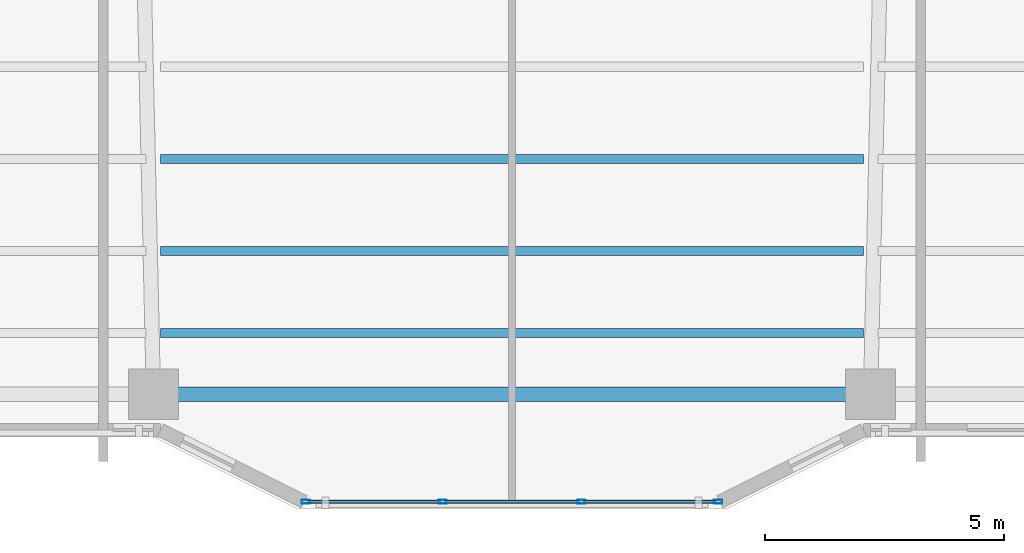
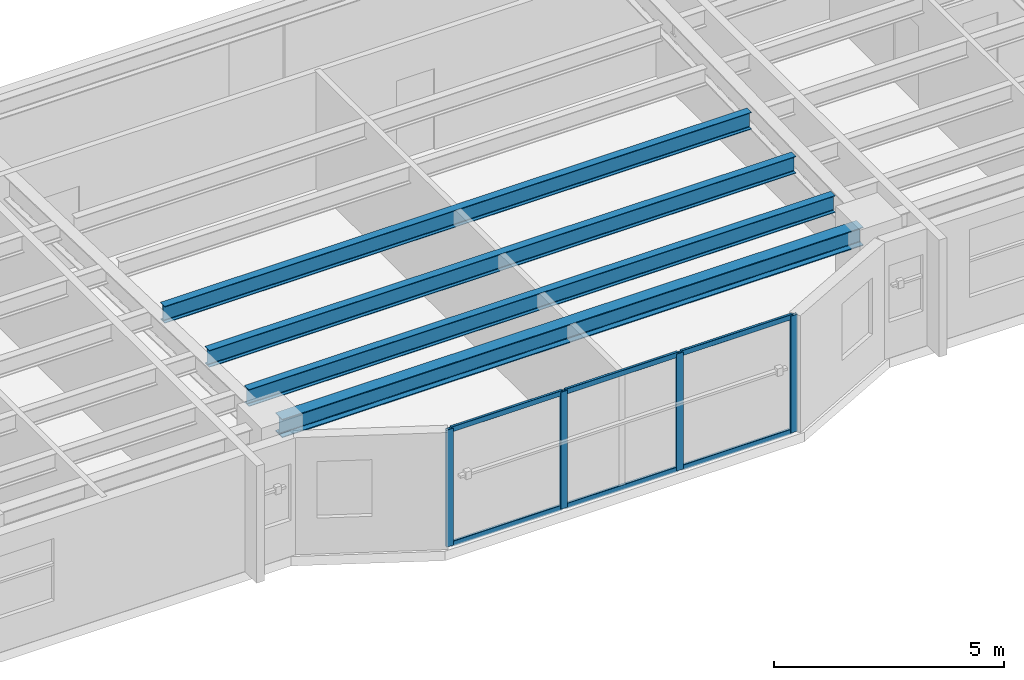
# One storey, part 2 of 18: 10 members, 4 beams, 1 element without a shape of its own.
"""IFC4 building model written with IfcOpenShell, lengths in metres."""

from ifc_helpers import new_model, si_unit, direction, frame, origin, origin_2d, place, context, subcontext, project, spatial, hollow_rectangle, i_section, extrude, material, layer, layer_set, material_profile, profile_set, type_object, element, aggregate, save


model = new_model("IFC4")

# Units and contexts
model_context = context("Model", 3, precision=1e-05, world=origin(), true_north=direction((0.0, 1.0)))
body_context = subcontext(model_context, "Body", "Model", "MODEL_VIEW")
ifc_project = project(units=[si_unit("LENGTHUNIT", "METRE"), si_unit("AREAUNIT", "SQUARE_METRE"), si_unit("VOLUMEUNIT", "CUBIC_METRE"), si_unit("PLANEANGLEUNIT", "RADIAN"), si_unit("MASSUNIT", "GRAM", prefix="KILO")], contexts=[model_context])

# Site, building, storey
site_placement = place(None, origin())
site = spatial("IfcSite", under=ifc_project, at=site_placement, CompositionType="ELEMENT")
building_placement = place(site_placement, origin())
building = spatial("IfcBuilding", under=site, at=building_placement, Name="Tarnavaz Court Tower", CompositionType="ELEMENT")
storey_placement = place(building_placement, frame((0.0, 0.0, 108.449951171875)))
storey = spatial("IfcBuildingStorey", under=building, at=storey_placement, Name="L29", CompositionType="ELEMENT", Elevation=108.449951171875)

# Beams
ifc_material_1 = material(Name="Steel S355", Category="steel")
ifc_material_profile_1 = material_profile(ifc_material_1, i_section(OverallWidth=0.18994140625, OverallDepth=0.449951171875, WebThickness=0.009521484375, FlangeThickness=0.0146484375, FilletRadius=0.02099609375, at=origin_2d()), Name="IPE 450")
ifc_profile_set_1 = profile_set([ifc_material_profile_1], Name="Steel S355")
beam_type_1 = type_object("IfcBeamType", Name="BM-J-IPE450", PredefinedType="JOIST", material=ifc_profile_set_1)
for number, where, z_axis, x_axis, name in (
    (1, (-7.35009765625, -16.3779296875, 2.875), (1.0, 0.0, 0.0), (0.0, 1.0, 0.0), "L29 Beam JS3-2"),
    (2, (-7.35009765625, -18.303955078125, 2.875), (1.0, 0.0, 0.0), (0.0, 1.0, 0.0), "L29 Beam JS4-2"),
    (3, (-7.35009765625, -20.01611328125, 2.875), (1.0, 0.0, 0.0), (0.0, 1.0, 0.0), "L29 Beam JS5-2"),
):
    element("IfcBeam", number, at=place(storey_placement, frame(where, z_axis=z_axis, x_axis=x_axis)), inside=storey, type_object=beam_type_1, Name=name, PredefinedType="JOIST", context=body_context, shape_type="SweptSolid", body=[
        extrude(i_section(OverallWidth=0.18994140625, OverallDepth=0.449951171875, WebThickness=0.009521484375, FlangeThickness=0.0146484375, FilletRadius=0.02099609375, at=origin_2d()), origin(), (0.0, 0.0, 1.0), 14.7001953125),
    ])
ifc_material_profile_2 = material_profile(ifc_material_1, i_section(OverallWidth=0.300048828125, OverallDepth=0.489990234375, WebThickness=0.011962890625, FlangeThickness=0.02294921875, FilletRadius=0.027099609375, at=origin_2d()), Name="HEA 500")
ifc_profile_set_2 = profile_set([ifc_material_profile_2], Name="Steel S355")
beam_type_2 = type_object("IfcBeamType", Name="BM-SP-HEA500", PredefinedType="SPANDREL", material=ifc_profile_set_2)
beam_placement = place(storey_placement, frame((-7.280029296875, -21.300048828125, 2.85498046875), z_axis=(1.0, 0.0, 0.0), x_axis=(0.0, 1.0, 0.0)))
element("IfcBeam", 4, at=beam_placement, inside=storey, type_object=beam_type_2, Name="L29 Beam PR-PS-2-PS-3", PredefinedType="SPANDREL", context=body_context, shape_type="SweptSolid", body=[
    extrude(i_section(OverallWidth=0.300048828125, OverallDepth=0.489990234375, WebThickness=0.011962890625, FlangeThickness=0.02294921875, FilletRadius=0.027099609375, at=origin_2d()), origin(), (0.0, 0.0, 1.0), 14.56005859375),
])

# Curtain wall, members
ifc_material_2 = material(Name="Anodised Aluminium 6063-T6 and Solar Low-E Glazing", Category="aluminium")
ifc_layer = layer(ifc_material_2, 0.179931640625)
ifc_layer_set = layer_set([ifc_layer], Name="Anodised Aluminium 6063-T6 and Solar Low-E Glazing")
curtain_wall_type = type_object("IfcCurtainWallType", Name="CW-SYS-02", PredefinedType="NOTDEFINED", material=ifc_layer_set)
curtain_wall_placement = place(storey_placement, origin())
curtain_wall = element("IfcCurtainWall", 5, at=curtain_wall_placement, inside=storey, type_object=curtain_wall_type, Name="L29 Iwan Prow Curtain Wall 17", PredefinedType="NOTDEFINED")
ifc_material_3 = material(Name="Anodised Aluminium 6063-T6", Category="aluminium")
ifc_material_profile_3 = material_profile(ifc_material_3, hollow_rectangle(XDim=0.074951171875, YDim=0.179931640625, WallThickness=0.0048828125, InnerFilletRadius=0.0048828125, OuterFilletRadius=0.010009765625, at=origin_2d()), Name="ALU RHS 180X75X5")
ifc_profile_set_3 = profile_set([ifc_material_profile_3], Name="Anodised Aluminium 6063-T6")
member_type_1 = type_object("IfcMemberType", Name="CW-MUL-180", PredefinedType="MULLION", material=ifc_profile_set_3)
member_1_placement = place(storey_placement, frame((4.3125, -23.550048828125, 0.0), z_axis=(0.0, 0.0, 1.0), x_axis=(0.0, -1.0, 0.0)))
member_1 = element("IfcMember", 6, at=member_1_placement, type_object=member_type_1, Name="CW mullion 1", PredefinedType="MULLION", context=body_context, shape_type="SweptSolid", body=[
    extrude(hollow_rectangle(XDim=0.074951171875, YDim=0.179931640625, WallThickness=0.0048828125, InnerFilletRadius=0.0048828125, OuterFilletRadius=0.010009765625, at=origin_2d()), origin(), (0.0, 0.0, 1.0), 3.10009765625),
])
member_2_placement = place(storey_placement, frame((1.449951171875, -23.550048828125, 0.0), z_axis=(0.0, 0.0, 1.0), x_axis=(0.0, -1.0, 0.0)))
member_2 = element("IfcMember", 7, at=member_2_placement, type_object=member_type_1, Name="CW mullion 2", PredefinedType="MULLION", context=body_context, shape_type="SweptSolid", body=[
    extrude(hollow_rectangle(XDim=0.074951171875, YDim=0.179931640625, WallThickness=0.0048828125, InnerFilletRadius=0.0048828125, OuterFilletRadius=0.010009765625, at=origin_2d()), origin(), (0.0, 0.0, 1.0), 3.10009765625),
])
member_3_placement = place(storey_placement, frame((-1.449951171875, -23.550048828125, 0.0), z_axis=(0.0, 0.0, 1.0), x_axis=(0.0, -1.0, 0.0)))
member_3 = element("IfcMember", 8, at=member_3_placement, type_object=member_type_1, Name="CW mullion 3", PredefinedType="MULLION", context=body_context, shape_type="SweptSolid", body=[
    extrude(hollow_rectangle(XDim=0.074951171875, YDim=0.179931640625, WallThickness=0.0048828125, InnerFilletRadius=0.0048828125, OuterFilletRadius=0.010009765625, at=origin_2d()), origin(), (0.0, 0.0, 1.0), 3.10009765625),
])
member_4_placement = place(storey_placement, frame((-4.3125, -23.550048828125, 0.0), z_axis=(0.0, 0.0, 1.0), x_axis=(0.0, -1.0, 0.0)))
member_4 = element("IfcMember", 9, at=member_4_placement, type_object=member_type_1, Name="CW mullion 4", PredefinedType="MULLION", context=body_context, shape_type="SweptSolid", body=[
    extrude(hollow_rectangle(XDim=0.074951171875, YDim=0.179931640625, WallThickness=0.0048828125, InnerFilletRadius=0.0048828125, OuterFilletRadius=0.010009765625, at=origin_2d()), origin(), (0.0, 0.0, 1.0), 3.10009765625),
])
ifc_material_profile_4 = material_profile(ifc_material_3, hollow_rectangle(XDim=0.06494140625, YDim=0.139892578125, WallThickness=0.00390625, InnerFilletRadius=0.00390625, OuterFilletRadius=0.008056640625, at=origin_2d()), Name="ALU RHS 140X65X4")
ifc_profile_set_4 = profile_set([ifc_material_profile_4], Name="Anodised Aluminium 6063-T6")
member_type_2 = type_object("IfcMemberType", Name="CW-TRN-140", PredefinedType="USERDEFINED", material=ifc_profile_set_4)
member_5_placement = place(storey_placement, frame((4.27490234375, -23.550048828125, 0.032470703125), z_axis=(-1.0, 0.0, 0.0), x_axis=(0.0, -1.0, 0.0)))
member_5 = element("IfcMember", 10, at=member_5_placement, type_object=member_type_2, Name="CW transom 1.1", ObjectType="TRANSOM", PredefinedType="USERDEFINED", context=body_context, shape_type="SweptSolid", body=[
    extrude(hollow_rectangle(XDim=0.06494140625, YDim=0.139892578125, WallThickness=0.00390625, InnerFilletRadius=0.00390625, OuterFilletRadius=0.008056640625, at=origin_2d()), origin(), (0.0, 0.0, 1.0), 2.787353515625),
])
member_6_placement = place(storey_placement, frame((4.27490234375, -23.550048828125, 3.067626953125), z_axis=(-1.0, 0.0, 0.0), x_axis=(0.0, -1.0, 0.0)))
member_6 = element("IfcMember", 11, at=member_6_placement, type_object=member_type_2, Name="CW transom 1.2", ObjectType="TRANSOM", PredefinedType="USERDEFINED", context=body_context, shape_type="SweptSolid", body=[
    extrude(hollow_rectangle(XDim=0.06494140625, YDim=0.139892578125, WallThickness=0.00390625, InnerFilletRadius=0.00390625, OuterFilletRadius=0.008056640625, at=origin_2d()), origin(), (0.0, 0.0, 1.0), 2.787353515625),
])
member_7_placement = place(storey_placement, frame((1.41259765625, -23.550048828125, 0.032470703125), z_axis=(-1.0, 0.0, 0.0), x_axis=(0.0, -1.0, 0.0)))
member_7 = element("IfcMember", 12, at=member_7_placement, type_object=member_type_2, Name="CW transom 2.1", ObjectType="TRANSOM", PredefinedType="USERDEFINED", context=body_context, shape_type="SweptSolid", body=[
    extrude(hollow_rectangle(XDim=0.06494140625, YDim=0.139892578125, WallThickness=0.00390625, InnerFilletRadius=0.00390625, OuterFilletRadius=0.008056640625, at=origin_2d()), origin(), (0.0, 0.0, 1.0), 2.8251953125),
])
member_8_placement = place(storey_placement, frame((1.41259765625, -23.550048828125, 3.067626953125), z_axis=(-1.0, 0.0, 0.0), x_axis=(0.0, -1.0, 0.0)))
member_8 = element("IfcMember", 13, at=member_8_placement, type_object=member_type_2, Name="CW transom 2.2", ObjectType="TRANSOM", PredefinedType="USERDEFINED", context=body_context, shape_type="SweptSolid", body=[
    extrude(hollow_rectangle(XDim=0.06494140625, YDim=0.139892578125, WallThickness=0.00390625, InnerFilletRadius=0.00390625, OuterFilletRadius=0.008056640625, at=origin_2d()), origin(), (0.0, 0.0, 1.0), 2.8251953125),
])
member_9_placement = place(storey_placement, frame((-1.487548828125, -23.550048828125, 0.032470703125), z_axis=(-1.0, 0.0, 0.0), x_axis=(0.0, -1.0, 0.0)))
member_9 = element("IfcMember", 14, at=member_9_placement, type_object=member_type_2, Name="CW transom 3.1", ObjectType="TRANSOM", PredefinedType="USERDEFINED", context=body_context, shape_type="SweptSolid", body=[
    extrude(hollow_rectangle(XDim=0.06494140625, YDim=0.139892578125, WallThickness=0.00390625, InnerFilletRadius=0.00390625, OuterFilletRadius=0.008056640625, at=origin_2d()), origin(), (0.0, 0.0, 1.0), 2.787353515625),
])
member_10_placement = place(storey_placement, frame((-1.487548828125, -23.550048828125, 3.067626953125), z_axis=(-1.0, 0.0, 0.0), x_axis=(0.0, -1.0, 0.0)))
member_10 = element("IfcMember", 15, at=member_10_placement, type_object=member_type_2, Name="CW transom 3.2", ObjectType="TRANSOM", PredefinedType="USERDEFINED", context=body_context, shape_type="SweptSolid", body=[
    extrude(hollow_rectangle(XDim=0.06494140625, YDim=0.139892578125, WallThickness=0.00390625, InnerFilletRadius=0.00390625, OuterFilletRadius=0.008056640625, at=origin_2d()), origin(), (0.0, 0.0, 1.0), 2.787353515625),
])
aggregate(curtain_wall, [member_1, member_2, member_3, member_4, member_5, member_6, member_7, member_8, member_9, member_10])

save(model, "model.ifc")
